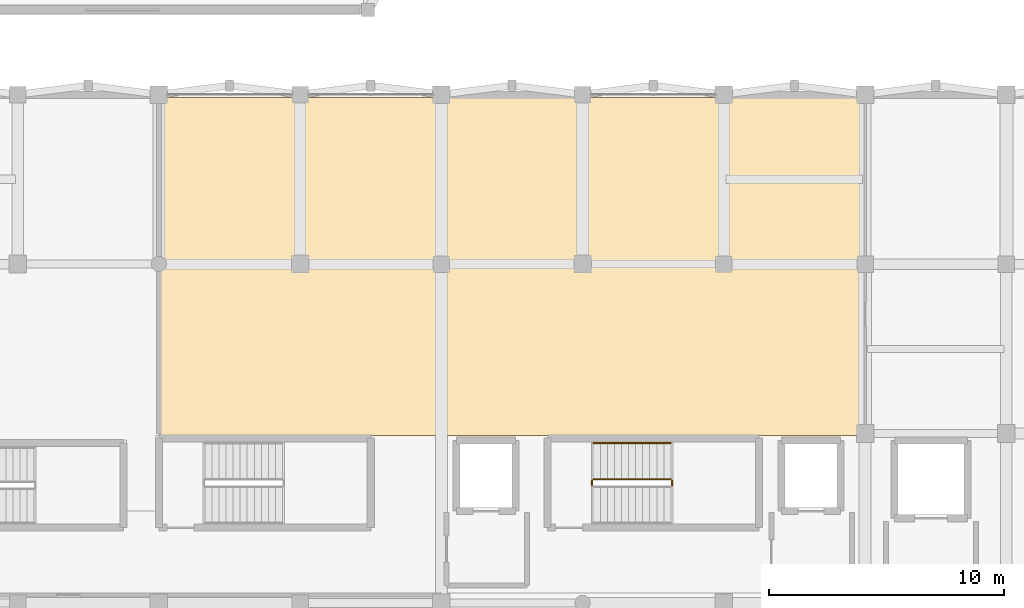
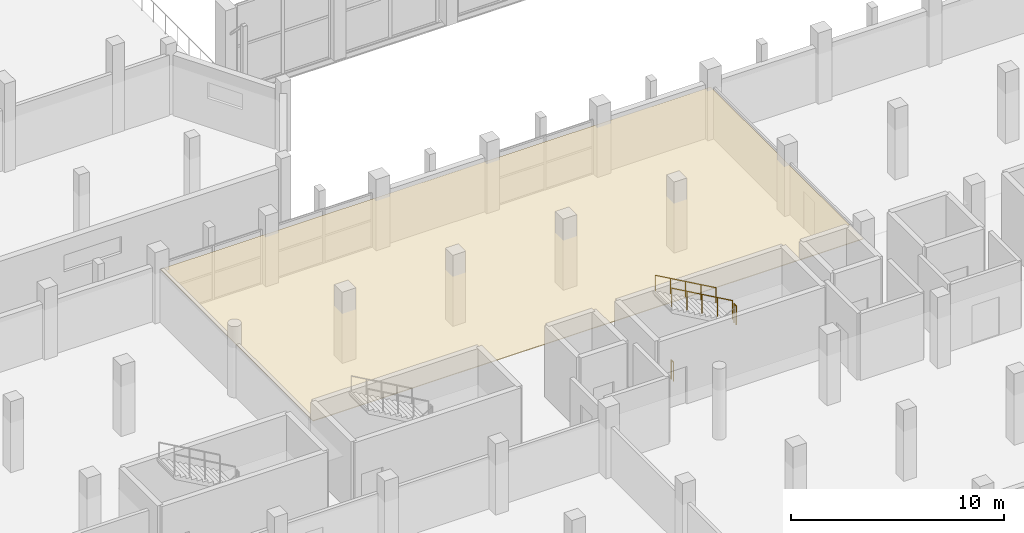
# One storey, part 117 of 127: 4 railings, 1 covering.
"""IFC4 building model written with IfcOpenShell, lengths in metres."""

from ifc_helpers import new_model, si_unit, direction, frame, origin, origin_2d, place, context, subcontext, project, spatial, polyline, circle, outline, extrude, material, layer, layer_set, type_object, element, save


model = new_model("IFC4")

# Units and contexts
model_context = context("Model", 3, precision=1e-05, world=origin(), true_north=direction((0.0, 1.0)))
body_context = subcontext(model_context, "Body", "Model", "MODEL_VIEW")
ifc_project = project(units=[si_unit("LENGTHUNIT", "METRE"), si_unit("AREAUNIT", "SQUARE_METRE"), si_unit("VOLUMEUNIT", "CUBIC_METRE"), si_unit("PLANEANGLEUNIT", "RADIAN"), si_unit("MASSUNIT", "GRAM", prefix="KILO")], contexts=[model_context])

# Site, building, storey
site_placement = place(None, origin())
site = spatial("IfcSite", under=ifc_project, at=site_placement, CompositionType="ELEMENT")
building_placement = place(site_placement, origin())
building = spatial("IfcBuilding", under=site, at=building_placement, Name="Dunvalen Ferry Terminal", CompositionType="ELEMENT")
storey_placement = place(building_placement, frame((0.0, 0.0, 5.760009765625)))
storey = spatial("IfcBuildingStorey", under=building, at=storey_placement, Name="L01", CompositionType="ELEMENT", Elevation=5.760009765625)

# Covering
ifc_material_1 = material(Name="Perforated marine aluminium acoustic baffle ceiling", Category="aluminium")
ifc_layer = layer(ifc_material_1, 0.0400390625, Name="Perforated marine aluminium acoustic baffle ceiling")
ifc_layer_set = layer_set([ifc_layer], Name="Perforated marine aluminium acoustic baffle ceiling")
covering_type = type_object("IfcCoveringType", Name="INT-COV-CLG01", PredefinedType="CEILING", material=ifc_layer_set)
covering_placement = place(storey_placement, frame((0.0, 0.0, 2.81005859375)))
element("IfcCovering", 1, at=covering_placement, inside=storey, type_object=covering_type, Name="L01 Shipping Agency and Stevedore Operations Suite Acoustic Suspended Ceiling", PredefinedType="CEILING", context=body_context, shape_type="SweptSolid", body=[
    extrude(outline(polyline([(24.070068359375, 35.8701171875), (24.070068359375, 21.52001953125), (53.929931640625, 21.510009765625), (53.929931640625, 35.8701171875), (24.070068359375, 35.8701171875)])), origin(), (0.0, 0.0, 1.0), 0.0400390625),
])

# Railings
ifc_material_2 = material(Name="Painted galvanised steel S275", Category="steel")
railing_type_1 = type_object("IfcRailingType", Name="INT-RL-STGRD", PredefinedType="GUARDRAIL", material=ifc_material_2)
railing_1_placement = place(storey_placement, frame((45.800048828125, 19.39990234375, 2.0400390625)))
element("IfcRailing", 2, at=railing_1_placement, inside=storey, type_object=railing_type_1, Name="L01 ST2 stair guard 2", PredefinedType="GUARDRAIL", context=body_context, shape_type="SweptSolid", body=[
    extrude(circle(Radius=0.02392578125, at=origin_2d()), frame((0.0, 0.0, 1.076171875), z_axis=(0.0, 1.0, 0.0), x_axis=(-1.0, 0.0, 0.0)), (0.0, 0.0, 1.0), 0.2001953125),
    extrude(circle(Radius=0.02099609375, at=origin_2d()), origin(), (0.0, 0.0, 1.0), 1.052001953125),
    extrude(circle(Radius=0.02099609375, at=origin_2d()), frame((0.0, 0.2001953125, 0.0)), (0.0, 0.0, 1.0), 1.052001953125),
])
railing_2_placement = place(storey_placement, frame((45.75, 19.64990234375, 2.2099609375)))
element("IfcRailing", 3, at=railing_2_placement, inside=storey, type_object=railing_type_1, Name="L01 ST2 stair guard 3", PredefinedType="GUARDRAIL", context=body_context, shape_type="SweptSolid", body=[
    extrude(circle(Radius=0.02392578125, at=origin_2d()), frame((0.0, 0.0, 1.076171875), z_axis=(-0.870012062771, 0.0, 0.493030435808), x_axis=(0.0, -1.0, 0.0)), (0.0, 0.0, 1.0), 3.793212890625),
    extrude(circle(Radius=0.02099609375, at=origin_2d()), origin(), (0.0, 0.0, 1.0), 1.052001953125),
    extrude(circle(Radius=0.02099609375, at=origin_2d()), frame((-0.824951171875, 0.0, 0.467529296875)), (0.0, 0.0, 1.0), 1.052001953125),
    extrude(circle(Radius=0.02099609375, at=origin_2d()), frame((-1.64990234375, 0.0, 0.93505859375)), (0.0, 0.0, 1.0), 1.052001953125),
    extrude(circle(Radius=0.02099609375, at=origin_2d()), frame((-2.47509765625, 0.0, 1.402587890625)), (0.0, 0.0, 1.0), 1.052001953125),
    extrude(circle(Radius=0.02099609375, at=origin_2d()), frame((-3.300048828125, 0.0, 1.8701171875)), (0.0, 0.0, 1.0), 1.052001953125),
])
railing_3_placement = place(storey_placement, frame((42.39990234375, 19.39990234375, 0.0)))
element("IfcRailing", 4, at=railing_3_placement, inside=storey, type_object=railing_type_1, Name="L01 ST2 stair guard 4", PredefinedType="GUARDRAIL", context=body_context, shape_type="SweptSolid", body=[
    extrude(circle(Radius=0.02392578125, at=origin_2d()), frame((0.0, 0.0, 1.076171875), z_axis=(0.0, 1.0, 0.0), x_axis=(-1.0, 0.0, 0.0)), (0.0, 0.0, 1.0), 0.2001953125),
    extrude(circle(Radius=0.02099609375, at=origin_2d()), origin(), (0.0, 0.0, 1.0), 1.052001953125),
    extrude(circle(Radius=0.02099609375, at=origin_2d()), frame((0.0, 0.2001953125, 0.0)), (0.0, 0.0, 1.0), 1.052001953125),
])
ifc_material_3 = material(Name="Brushed 316 stainless steel", Category="steel")
railing_type_2 = type_object("IfcRailingType", Name="INT-RL-STHND", PredefinedType="HANDRAIL", material=ifc_material_3)
railing_4_placement = place(storey_placement, frame((45.75, 21.199951171875, 2.2099609375)))
element("IfcRailing", 5, at=railing_4_placement, inside=storey, type_object=railing_type_2, Name="L01 ST2 stair handrail 2", PredefinedType="HANDRAIL", context=body_context, shape_type="SweptSolid", body=[
    extrude(circle(Radius=0.02392578125, at=origin_2d()), frame((0.0, 0.0, 0.8759765625), z_axis=(-0.870012062771, 0.0, 0.493030435808), x_axis=(0.0, -1.0, 0.0)), (0.0, 0.0, 1.0), 3.793212890625),
    extrude(circle(Radius=0.02099609375, at=origin_2d()), origin(), (0.0, 0.0, 1.0), 0.851806640625),
    extrude(circle(Radius=0.02099609375, at=origin_2d()), frame((-0.824951171875, 0.0, 0.467529296875)), (0.0, 0.0, 1.0), 0.851806640625),
    extrude(circle(Radius=0.02099609375, at=origin_2d()), frame((-1.64990234375, 0.0, 0.93505859375)), (0.0, 0.0, 1.0), 0.851806640625),
    extrude(circle(Radius=0.02099609375, at=origin_2d()), frame((-2.47509765625, 0.0, 1.402587890625)), (0.0, 0.0, 1.0), 0.851806640625),
    extrude(circle(Radius=0.02099609375, at=origin_2d()), frame((-3.300048828125, 0.0, 1.8701171875)), (0.0, 0.0, 1.0), 0.851806640625),
])

save(model, "model.ifc")
